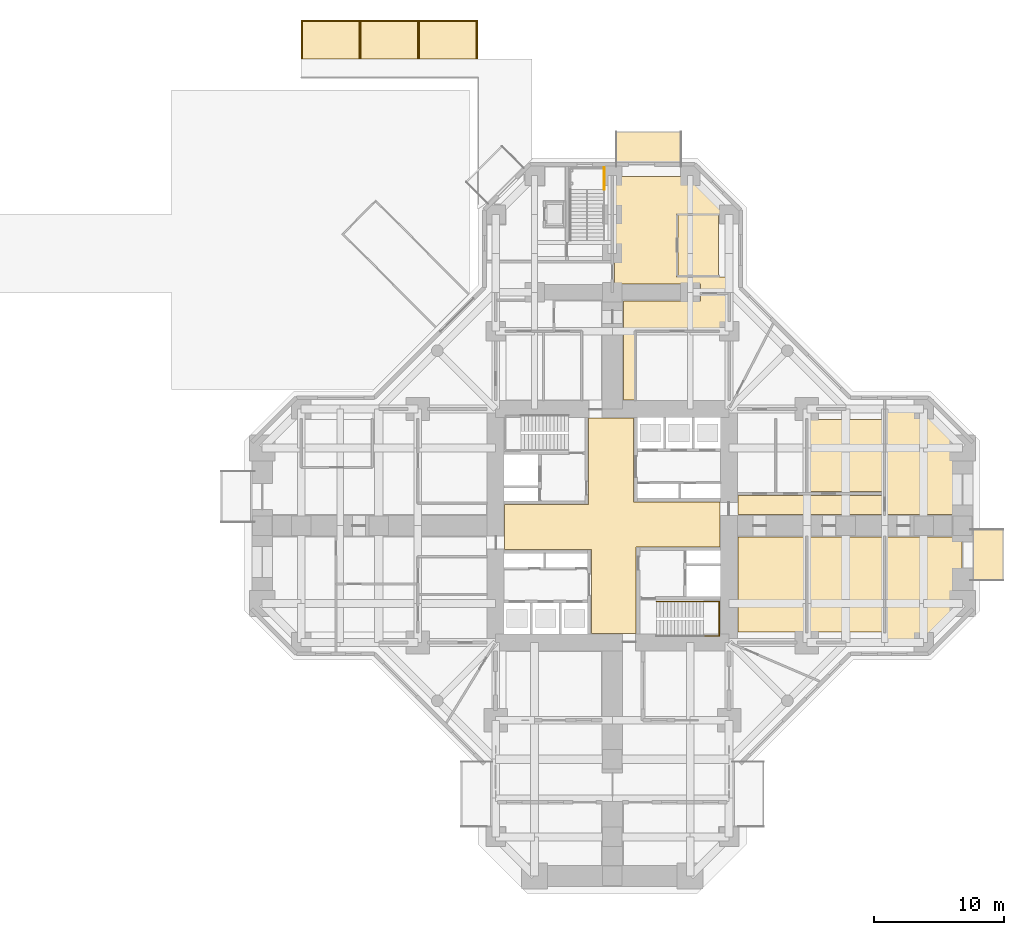
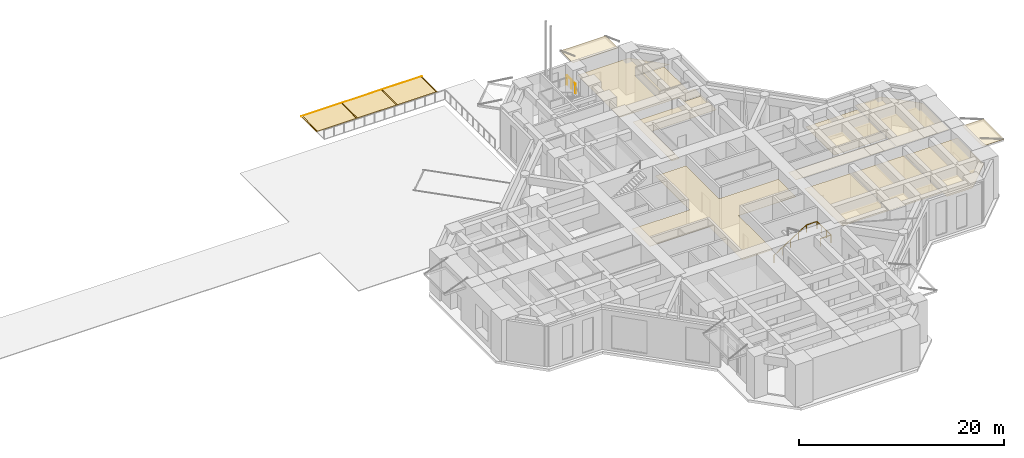
# One storey, part 13 of 14: 18 coverings, 2 railings.
"""IFC4 building model written with IfcOpenShell, lengths in metres."""

from ifc_helpers import new_model, si_unit, direction, frame, origin, origin_2d, place, context, subcontext, project, spatial, polyline, rectangle, circle, outline, extrude, material, layer, layer_set, type_object, element, save


model = new_model("IFC4")

# Units and contexts
model_context = context("Model", 3, precision=1e-05, world=origin(), true_north=direction((0.0, 1.0)))
body_context = subcontext(model_context, "Body", "Model", "MODEL_VIEW")
ifc_project = project(units=[si_unit("LENGTHUNIT", "METRE"), si_unit("AREAUNIT", "SQUARE_METRE"), si_unit("VOLUMEUNIT", "CUBIC_METRE"), si_unit("PLANEANGLEUNIT", "RADIAN"), si_unit("MASSUNIT", "GRAM", prefix="KILO")], contexts=[model_context])

# Site, building, storey
site_placement = place(None, origin())
site = spatial("IfcSite", under=ifc_project, at=site_placement, CompositionType="ELEMENT")
building_placement = place(site_placement, origin())
building = spatial("IfcBuilding", under=site, at=building_placement, Name="Torre Cruceta", CompositionType="ELEMENT")
storey_placement = place(building_placement, origin())
storey = spatial("IfcBuildingStorey", under=building, at=storey_placement, Name="L00", CompositionType="ELEMENT", Elevation=0.0)

# Coverings
ifc_material_1 = material(Name="Laminated safety glass", Category="glass")
ifc_layer_1 = layer(ifc_material_1, 0.02001953125)
ifc_layer_set_1 = layer_set([ifc_layer_1], Name="Laminated safety glass")
covering_type_1 = type_object("IfcCoveringType", Name="CANOPY GLASS DECK 20", PredefinedType="ROOFING", material=ifc_layer_set_1)
covering_1_placement = place(storey_placement, frame((2.800048828125, 29.219970703125, 4.5), z_axis=(0.0, 0.0, 1.0), x_axis=(-1.0, 0.0, 0.0)))
element("IfcCovering", 1, at=covering_1_placement, inside=storey, type_object=covering_type_1, Name="CN3 canopy 1 glass deck", PredefinedType="ROOFING", context=body_context, shape_type="SweptSolid", body=[
    extrude(rectangle(XDim=5.10009765625, YDim=2.39990234375, at=origin_2d()), origin(), (0.0, 0.0, 1.0), 0.02001953125),
])
covering_2_placement = place(storey_placement, frame((29.0, -2.25, 4.5), z_axis=(0.0, 0.0, 1.0), x_axis=(0.0, 1.0, 0.0)))
element("IfcCovering", 2, at=covering_2_placement, inside=storey, type_object=covering_type_1, Name="CN3 canopy 5 glass deck", PredefinedType="ROOFING", context=body_context, shape_type="SweptSolid", body=[
    extrude(rectangle(XDim=4.0, YDim=2.39990234375, at=origin_2d()), origin(), (0.0, 0.0, 1.0), 0.02001953125),
])
ifc_material_2 = material(Name="Concrete block paving", Category="concrete")
ifc_layer_2 = layer(ifc_material_2, 0.10009765625)
ifc_layer_set_2 = layer_set([ifc_layer_2], Name="Concrete block paving")
covering_type_2 = type_object("IfcCoveringType", Name="EXTERNAL PAVING 100", PredefinedType="USERDEFINED", material=ifc_layer_set_2)
covering_3_placement = place(storey_placement, frame((0.0, 0.0, -0.10009765625)))
element("IfcCovering", 3, at=covering_3_placement, inside=storey, type_object=covering_type_2, Name="School drop-off lay-by", ObjectType="PAVING", PredefinedType="USERDEFINED", context=body_context, shape_type="SweptSolid", body=[
    extrude(outline(polyline([(-24.0, 36.0), (-10.39990234375, 36.0), (-10.39990234375, 39.0), (-24.0, 39.0), (-24.0, 36.0)])), origin(), (0.0, 0.0, 1.0), 0.10009765625),
])

# Railing
ifc_material_3 = material(Name="Stainless steel 1.4401", Category="steel")
railing_type_1 = type_object("IfcRailingType", Name="HANDRAIL 900", PredefinedType="HANDRAIL", material=ifc_material_3)
railing_1_placement = place(storey_placement, frame((3.39990234375, -5.8349609375, 0.178466796875)))
element("IfcRailing", 4, at=railing_1_placement, inside=storey, type_object=railing_type_1, Name="Handrail HR1 ST2 L00", PredefinedType="HANDRAIL", context=body_context, shape_type="SweptSolid", body=[
    extrude(circle(Radius=0.02392578125, at=origin_2d()), frame((0.0, 0.0, 0.8759765625), z_axis=(0.843127859045, 0.0, 0.537713132908), x_axis=(0.0, 1.0, 0.0)), (0.0, 0.0, 1.0), 4.3173828125),
    extrude(circle(Radius=0.02392578125, at=origin_2d()), frame((3.64013671875, 0.0, 3.197265625), z_axis=(1.0, 0.0, 0.0), x_axis=(0.0, 1.0, 0.0)), (0.0, 0.0, 1.0), 1.199951171875),
    extrude(circle(Radius=0.02392578125, at=origin_2d()), frame((4.840087890625, 0.0, 3.197265625), z_axis=(0.0, -1.0, 0.0), x_axis=(1.0, 0.0, 0.0)), (0.0, 0.0, 1.0), 2.679931640625),
    extrude(circle(Radius=0.02392578125, at=origin_2d()), frame((4.840087890625, -2.679931640625, 3.197265625), z_axis=(-1.0, 0.0, 0.0), x_axis=(0.0, -1.0, 0.0)), (0.0, 0.0, 1.0), 1.199951171875),
    extrude(circle(Radius=0.02099609375, at=origin_2d()), origin(), (0.0, 0.0, 1.0), 0.851806640625),
    extrude(circle(Radius=0.02099609375, at=origin_2d()), frame((0.91015625, 0.0, 0.580322265625)), (0.0, 0.0, 1.0), 0.851806640625),
    extrude(circle(Radius=0.02099609375, at=origin_2d()), frame((1.820068359375, 0.0, 1.16064453125)), (0.0, 0.0, 1.0), 0.851806640625),
    extrude(circle(Radius=0.02099609375, at=origin_2d()), frame((2.72998046875, 0.0, 1.7412109375)), (0.0, 0.0, 1.0), 0.851806640625),
    extrude(circle(Radius=0.02099609375, at=origin_2d()), frame((3.64013671875, 0.0, 2.321533203125)), (0.0, 0.0, 1.0), 0.851806640625),
    extrude(circle(Radius=0.02099609375, at=origin_2d()), frame((4.840087890625, 0.0, 2.321533203125)), (0.0, 0.0, 1.0), 0.851806640625),
    extrude(circle(Radius=0.02099609375, at=origin_2d()), frame((4.840087890625, -0.893310546875, 2.321533203125)), (0.0, 0.0, 1.0), 0.851806640625),
    extrude(circle(Radius=0.02099609375, at=origin_2d()), frame((4.840087890625, -1.78662109375, 2.321533203125)), (0.0, 0.0, 1.0), 0.851806640625),
    extrude(circle(Radius=0.02099609375, at=origin_2d()), frame((4.840087890625, -2.679931640625, 2.321533203125)), (0.0, 0.0, 1.0), 0.851806640625),
    extrude(circle(Radius=0.02099609375, at=origin_2d()), frame((3.64013671875, -2.679931640625, 2.321533203125)), (0.0, 0.0, 1.0), 0.851806640625),
])

# Coverings
ifc_material_4 = material(Name="Thermoplastic road marking", Category="plastic")
ifc_layer_3 = layer(ifc_material_4, 0.0048828125)
ifc_layer_set_3 = layer_set([ifc_layer_3], Name="Thermoplastic road marking")
covering_type_3 = type_object("IfcCoveringType", Name="ROAD MARKING 5", PredefinedType="USERDEFINED", material=ifc_layer_set_3)
covering_4_placement = place(storey_placement, origin())
element("IfcCovering", 5, at=covering_4_placement, inside=storey, type_object=covering_type_3, Name="School drop-off road marking 1", ObjectType="ROAD_MARKING", PredefinedType="USERDEFINED", context=body_context, shape_type="SweptSolid", body=[
    extrude(outline(polyline([(-24.0, 38.89990234375), (-10.39990234375, 38.89990234375), (-10.39990234375, 39.0), (-24.0, 39.0), (-24.0, 38.89990234375)])), origin(), (0.0, 0.0, 1.0), 0.0048828125),
])
covering_5_placement = place(storey_placement, origin())
element("IfcCovering", 6, at=covering_5_placement, inside=storey, type_object=covering_type_3, Name="School drop-off road marking 2", ObjectType="ROAD_MARKING", PredefinedType="USERDEFINED", context=body_context, shape_type="SweptSolid", body=[
    extrude(outline(polyline([(-24.0, 36.0), (-23.89990234375, 36.0), (-23.89990234375, 38.89990234375), (-24.0, 38.89990234375), (-24.0, 36.0)])), origin(), (0.0, 0.0, 1.0), 0.0048828125),
])
covering_6_placement = place(storey_placement, origin())
element("IfcCovering", 7, at=covering_6_placement, inside=storey, type_object=covering_type_3, Name="School drop-off road marking 3", ObjectType="ROAD_MARKING", PredefinedType="USERDEFINED", context=body_context, shape_type="SweptSolid", body=[
    extrude(outline(polyline([(-19.5, 36.0), (-19.39990234375, 36.0), (-19.39990234375, 38.89990234375), (-19.5, 38.89990234375), (-19.5, 36.0)])), origin(), (0.0, 0.0, 1.0), 0.0048828125),
])
covering_7_placement = place(storey_placement, origin())
element("IfcCovering", 8, at=covering_7_placement, inside=storey, type_object=covering_type_3, Name="School drop-off road marking 4", ObjectType="ROAD_MARKING", PredefinedType="USERDEFINED", context=body_context, shape_type="SweptSolid", body=[
    extrude(outline(polyline([(-15.0, 36.0), (-14.89990234375, 36.0), (-14.89990234375, 38.89990234375), (-15.0, 38.89990234375), (-15.0, 36.0)])), origin(), (0.0, 0.0, 1.0), 0.0048828125),
])
covering_8_placement = place(storey_placement, origin())
element("IfcCovering", 9, at=covering_8_placement, inside=storey, type_object=covering_type_3, Name="School drop-off road marking 5", ObjectType="ROAD_MARKING", PredefinedType="USERDEFINED", context=body_context, shape_type="SweptSolid", body=[
    extrude(outline(polyline([(-10.5, 36.0), (-10.39990234375, 36.0), (-10.39990234375, 38.89990234375), (-10.5, 38.89990234375), (-10.5, 36.0)])), origin(), (0.0, 0.0, 1.0), 0.0048828125),
])

# Railing
ifc_material_5 = material(Name="Steel S275", Category="steel")
railing_type_2 = type_object("IfcRailingType", Name="STAIR GUARD 1100", PredefinedType="GUARDRAIL", material=ifc_material_5)
railing_2_placement = place(storey_placement, frame((-0.6298828125, 25.919921875, 2.5)))
element("IfcRailing", 10, at=railing_2_placement, inside=storey, type_object=railing_type_2, Name="Stair guard GR2 ST3 landing L00", PredefinedType="GUARDRAIL", context=body_context, shape_type="SweptSolid", body=[
    extrude(circle(Radius=0.02392578125, at=origin_2d()), frame((0.0, 0.0, 1.076171875), z_axis=(0.0, 1.0, 0.0), x_axis=(-1.0, 0.0, 0.0)), (0.0, 0.0, 1.0), 1.7001953125),
    extrude(circle(Radius=0.02099609375, at=origin_2d()), origin(), (0.0, 0.0, 1.0), 1.052001953125),
    extrude(circle(Radius=0.02099609375, at=origin_2d()), frame((0.0, 0.85009765625, 0.0)), (0.0, 0.0, 1.0), 1.052001953125),
    extrude(circle(Radius=0.02099609375, at=origin_2d()), frame((0.0, 1.7001953125, 0.0)), (0.0, 0.0, 1.0), 1.052001953125),
])

# Coverings
ifc_material_6 = material(Name="Mineral fibre ceiling tile", Category="gypsum")
ifc_layer_4 = layer(ifc_material_6, 0.02001953125)
ifc_layer_set_4 = layer_set([ifc_layer_4], Name="Mineral fibre ceiling tile")
covering_type_4 = type_object("IfcCoveringType", Name="SUSPENDED CEILING 20", PredefinedType="CEILING", material=ifc_layer_set_4)
covering_9_placement = place(storey_placement, frame((0.0, 0.0, 3.72998046875)))
element("IfcCovering", 11, at=covering_9_placement, inside=storey, type_object=covering_type_4, Name="Ceiling L00-001", PredefinedType="CEILING", context=body_context, shape_type="SweptSolid", body=[
    extrude(outline(polyline([(-1.625, -8.300048828125), (-1.625, -1.824951171875), (-8.300048828125, -1.824951171875), (-8.300048828125, 1.625), (-1.824951171875, 1.625), (-1.824951171875, 8.300048828125), (1.625, 8.300048828125), (1.625, 1.824951171875), (8.300048828125, 1.824951171875), (8.300048828125, -1.625), (1.824951171875, -1.625), (1.824951171875, -8.300048828125), (-1.625, -8.300048828125)])), origin(), (0.0, 0.0, 1.0), 0.02001953125),
])
covering_10_placement = place(storey_placement, frame((0.0, 0.0, 3.72998046875)))
element("IfcCovering", 12, at=covering_10_placement, inside=storey, type_object=covering_type_4, Name="Ceiling L00-029", PredefinedType="CEILING", context=body_context, shape_type="SweptSolid", body=[
    extrude(outline(polyline([(8.199951171875, 19.300048828125), (5.050048828125, 19.300048828125), (5.050048828125, 23.949951171875), (8.199951171875, 23.949951171875), (8.199951171875, 19.300048828125)])), origin(), (0.0, 0.0, 1.0), 0.02001953125),
])
covering_11_placement = place(storey_placement, frame((0.0, 0.0, 3.72998046875)))
element("IfcCovering", 13, at=covering_11_placement, inside=storey, type_object=covering_type_4, Name="Ceiling L00-031", PredefinedType="CEILING", context=body_context, shape_type="SweptSolid", body=[
    extrude(outline(polyline([(4.949951171875, 24.050048828125), (4.949951171875, 19.199951171875), (8.949951171875, 19.199951171875), (8.949951171875, 17.949951171875), (6.800048828125, 17.949951171875), (6.800048828125, 18.64990234375), (0.14990234375, 18.64990234375), (0.14990234375, 26.949951171875), (5.979248046875, 26.949951171875), (8.87939453125, 24.050048828125), (4.949951171875, 24.050048828125)])), origin(), (0.0, 0.0, 1.0), 0.02001953125),
])
covering_12_placement = place(storey_placement, frame((0.0, 0.0, 3.72998046875)))
element("IfcCovering", 14, at=covering_12_placement, inside=storey, type_object=covering_type_4, Name="Ceiling L00-033", PredefinedType="CEILING", context=body_context, shape_type="SweptSolid", body=[
    extrude(outline(polyline([(1.699951171875, 15.050048828125), (1.699951171875, 9.699951171875), (0.85009765625, 9.699951171875), (0.85009765625, 17.35009765625), (6.800048828125, 17.35009765625), (6.800048828125, 17.85009765625), (8.949951171875, 17.85009765625), (8.949951171875, 15.050048828125), (1.699951171875, 15.050048828125)])), origin(), (0.0, 0.0, 1.0), 0.02001953125),
])
covering_13_placement = place(storey_placement, frame((0.0, 0.0, 3.72998046875)))
element("IfcCovering", 15, at=covering_13_placement, inside=storey, type_object=covering_type_4, Name="Ceiling L00-034", PredefinedType="CEILING", context=body_context, shape_type="SweptSolid", body=[
    extrude(outline(polyline([(9.699951171875, 0.85009765625), (9.699951171875, 2.324951171875), (20.949951171875, 2.324951171875), (20.949951171875, 0.85009765625), (9.699951171875, 0.85009765625)])), origin(), (0.0, 0.0, 1.0), 0.02001953125),
])
covering_14_placement = place(storey_placement, frame((0.0, 0.0, 3.72998046875)))
element("IfcCovering", 16, at=covering_14_placement, inside=storey, type_object=covering_type_4, Name="Ceiling L00-035", PredefinedType="CEILING", context=body_context, shape_type="SweptSolid", body=[
    extrude(outline(polyline([(9.699951171875, -8.199951171875), (9.699951171875, -0.85009765625), (14.949951171875, -0.85009765625), (14.949951171875, -8.199951171875), (9.699951171875, -8.199951171875)])), origin(), (0.0, 0.0, 1.0), 0.02001953125),
])
covering_15_placement = place(storey_placement, frame((0.0, 0.0, 3.72998046875)))
element("IfcCovering", 17, at=covering_15_placement, inside=storey, type_object=covering_type_4, Name="Ceiling L00-036", PredefinedType="CEILING", context=body_context, shape_type="SweptSolid", body=[
    extrude(outline(polyline([(15.050048828125, 2.625), (15.050048828125, 8.199951171875), (20.949951171875, 8.199951171875), (20.949951171875, 2.625), (15.050048828125, 2.625)])), origin(), (0.0, 0.0, 1.0), 0.02001953125),
])
covering_16_placement = place(storey_placement, frame((0.0, 0.0, 3.72998046875)))
element("IfcCovering", 18, at=covering_16_placement, inside=storey, type_object=covering_type_4, Name="Ceiling L00-037", PredefinedType="CEILING", context=body_context, shape_type="SweptSolid", body=[
    extrude(outline(polyline([(15.050048828125, -8.199951171875), (15.050048828125, -0.85009765625), (20.949951171875, -0.85009765625), (20.949951171875, -8.199951171875), (15.050048828125, -8.199951171875)])), origin(), (0.0, 0.0, 1.0), 0.02001953125),
])
covering_17_placement = place(storey_placement, frame((0.0, 0.0, 3.72998046875)))
element("IfcCovering", 19, at=covering_17_placement, inside=storey, type_object=covering_type_4, Name="Ceiling L00-038", PredefinedType="CEILING", context=body_context, shape_type="SweptSolid", body=[
    extrude(outline(polyline([(21.050048828125, 8.949951171875), (23.979248046875, 8.949951171875), (26.949951171875, 5.979248046875), (26.949951171875, 0.85009765625), (21.050048828125, 0.85009765625), (21.050048828125, 8.949951171875)])), origin(), (0.0, 0.0, 1.0), 0.02001953125),
])
covering_18_placement = place(storey_placement, frame((0.0, 0.0, 3.72998046875)))
element("IfcCovering", 20, at=covering_18_placement, inside=storey, type_object=covering_type_4, Name="Ceiling L00-039", PredefinedType="CEILING", context=body_context, shape_type="SweptSolid", body=[
    extrude(outline(polyline([(26.949951171875, -5.979248046875), (23.979248046875, -8.949951171875), (21.050048828125, -8.949951171875), (21.050048828125, -0.85009765625), (26.949951171875, -0.85009765625), (26.949951171875, -5.979248046875)])), origin(), (0.0, 0.0, 1.0), 0.02001953125),
])

save(model, "model.ifc")
